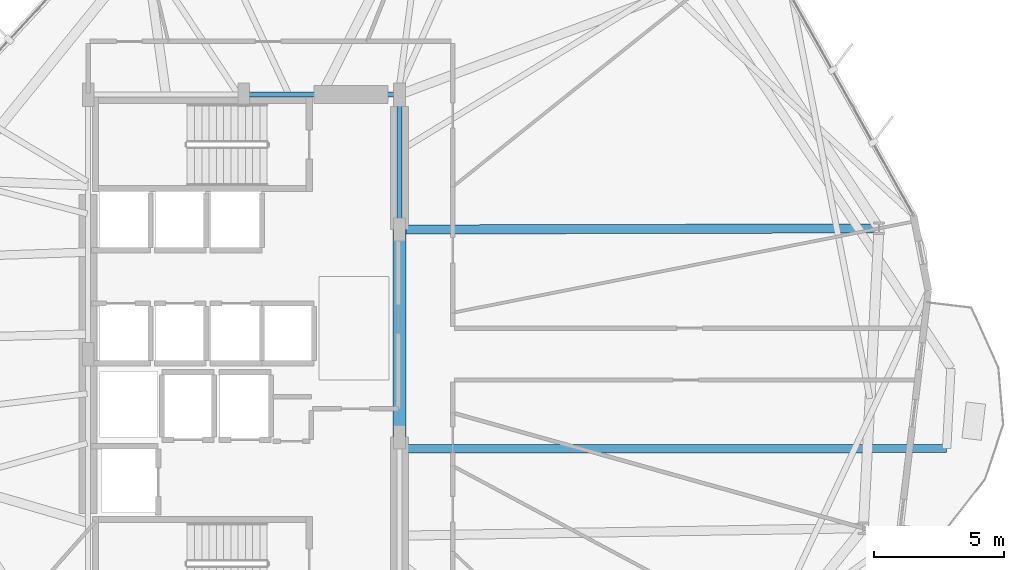
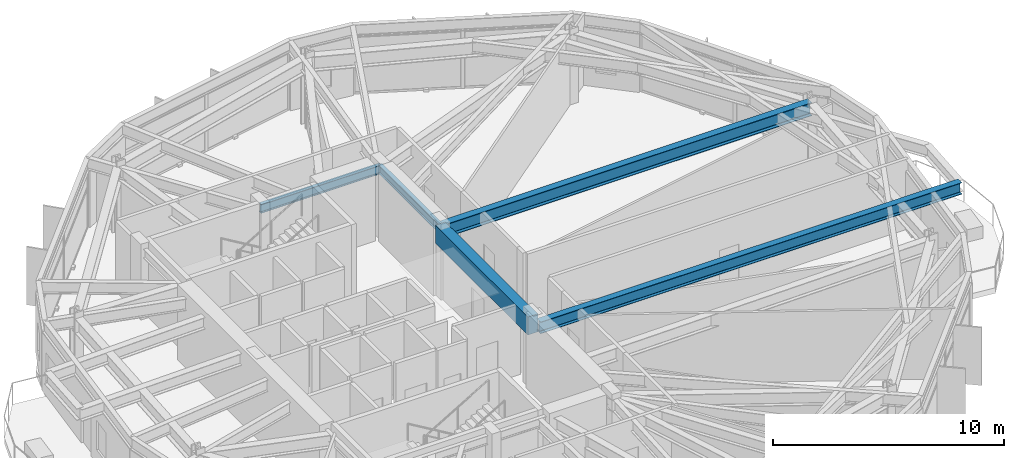
# One storey, part 8 of 22: 5 beams.
"""IFC4 building model written with IfcOpenShell, lengths in metres."""

from ifc_helpers import new_model, si_unit, direction, frame, origin, origin_2d, place, context, subcontext, project, spatial, rectangle, i_section, extrude, material, material_profile, profile_set, type_object, element, save


model = new_model("IFC4")

# Units and contexts
model_context = context("Model", 3, precision=1e-05, world=origin(), true_north=direction((0.0, 1.0)))
body_context = subcontext(model_context, "Body", "Model", "MODEL_VIEW")
ifc_project = project(units=[si_unit("LENGTHUNIT", "METRE"), si_unit("AREAUNIT", "SQUARE_METRE"), si_unit("VOLUMEUNIT", "CUBIC_METRE"), si_unit("PLANEANGLEUNIT", "RADIAN"), si_unit("MASSUNIT", "GRAM", prefix="KILO")], contexts=[model_context])

# Site, building, storey
site_placement = place(None, origin())
site = spatial("IfcSite", under=ifc_project, at=site_placement, CompositionType="ELEMENT")
building_placement = place(site_placement, origin())
building = spatial("IfcBuilding", under=site, at=building_placement, Name="Soratama Intermodal Tower", CompositionType="ELEMENT")
storey_placement = place(building_placement, frame((0.0, 0.0, 70.60009765625)))
storey = spatial("IfcBuildingStorey", under=building, at=storey_placement, Name="L16", CompositionType="ELEMENT", Elevation=70.60009765625)

# Beams
ifc_material_1 = material(Name="Structural steel ASTM A992 Grade 50", Category="steel")
ifc_material_profile_1 = material_profile(ifc_material_1, i_section(OverallWidth=0.324951171875, OverallDepth=0.615966796875, WebThickness=0.013916015625, FlangeThickness=0.021484375, FilletRadius=0.013916015625, at=origin_2d()), Name="W24X117")
ifc_profile_set_1 = profile_set([ifc_material_profile_1], Name="Structural steel ASTM A992 Grade 50")
beam_type_1 = type_object("IfcBeamType", Name="BM-CANT-W24X117", PredefinedType="BEAM", material=ifc_profile_set_1)
beam_1_placement = place(storey_placement, frame((44.639892578125, 21.35205078125, 3.391845703125), z_axis=(0.999999907924, 0.000429129755, 0.0), x_axis=(-0.000429129755, 0.999999907924, 0.0)))
element("IfcBeam", 1, at=beam_1_placement, inside=storey, type_object=beam_type_1, Name="BM-L16-CANT-1-1", PredefinedType="BEAM", context=body_context, shape_type="SweptSolid", body=[
    extrude(i_section(OverallWidth=0.324951171875, OverallDepth=0.615966796875, WebThickness=0.013916015625, FlangeThickness=0.021484375, FilletRadius=0.013916015625, at=origin_2d()), origin(), (0.0, 0.0, 1.0), 21.050048828125),
])
ifc_material_2 = material(Name="Concrete f'c 56 MPa", Category="concrete")
ifc_material_profile_2 = material_profile(ifc_material_2, rectangle(XDim=0.5, YDim=0.949951171875, at=origin_2d()), Name="RC500X950")
ifc_profile_set_2 = profile_set([ifc_material_profile_2], Name="Concrete f'c 56 MPa")
beam_type_2 = type_object("IfcBeamType", Name="BM-CPL-RC500X950", PredefinedType="BEAM", material=ifc_profile_set_2)
beam_2_placement = place(storey_placement, frame((44.60009765625, 21.800048828125, 3.224853515625), z_axis=(0.0, 1.0, 0.0), x_axis=(-1.0, 0.0, 0.0)))
element("IfcBeam", 2, at=beam_2_placement, inside=storey, type_object=beam_type_2, Name="L16 Core Coupling Beam East", PredefinedType="BEAM", context=body_context, shape_type="SweptSolid", body=[
    extrude(rectangle(XDim=0.5, YDim=0.949951171875, at=origin_2d()), origin(), (0.0, 0.0, 1.0), 8.0),
])
ifc_material_3 = material(Name="Structural steel ASTM A992 Grade 50", Category="steel")
ifc_material_profile_3 = material_profile(ifc_material_3, i_section(OverallWidth=0.19091796875, OverallDepth=0.4599609375, WebThickness=0.010009765625, FlangeThickness=0.01611328125, FilletRadius=0.010986328125, at=origin_2d()), Name="W18X55")
ifc_profile_set_3 = profile_set([ifc_material_profile_3], Name="Structural steel ASTM A992 Grade 50")
beam_type_3 = type_object("IfcBeamType", Name="BM-FLR-W18X55", PredefinedType="BEAM", material=ifc_profile_set_3)
beam_3_placement = place(storey_placement, frame((44.60009765625, 29.800048828125, 3.469970703125), z_axis=(0.0, 1.0, 0.0), x_axis=(-1.0, 0.0, 0.0)))
element("IfcBeam", 3, at=beam_3_placement, inside=storey, type_object=beam_type_3, Name="BM-L16-CRING-05", PredefinedType="BEAM", context=body_context, shape_type="SweptSolid", body=[
    extrude(i_section(OverallWidth=0.19091796875, OverallDepth=0.4599609375, WebThickness=0.010009765625, FlangeThickness=0.01611328125, FilletRadius=0.010986328125, at=origin_2d()), origin(), (0.0, 0.0, 1.0), 5.199951171875),
])
beam_4_placement = place(storey_placement, frame((44.60009765625, 35.0, 3.469970703125), z_axis=(-1.0, 0.0, 0.0), x_axis=(0.0, -1.0, 0.0)))
element("IfcBeam", 4, at=beam_4_placement, inside=storey, type_object=beam_type_3, Name="BM-L16-CRING-06", PredefinedType="BEAM", context=body_context, shape_type="SweptSolid", body=[
    extrude(i_section(OverallWidth=0.19091796875, OverallDepth=0.4599609375, WebThickness=0.010009765625, FlangeThickness=0.01611328125, FilletRadius=0.010986328125, at=origin_2d()), origin(), (0.0, 0.0, 1.0), 6.0),
])
ifc_material_4 = material(Name="Structural steel ASTM A992 Grade 50", Category="steel")
ifc_material_profile_4 = material_profile(ifc_material_4, i_section(OverallWidth=0.35498046875, OverallDepth=0.695068359375, WebThickness=0.015380859375, FlangeThickness=0.02490234375, FilletRadius=0.01611328125, at=origin_2d()), Name="W27X146")
ifc_profile_set_4 = profile_set([ifc_material_profile_4], Name="Structural steel ASTM A992 Grade 50")
beam_type_4 = type_object("IfcBeamType", Name="BM-RING-W27X146", PredefinedType="BEAM", material=ifc_profile_set_4)
beam_5_placement = place(storey_placement, frame((44.60009765625, 29.800048828125, 3.352294921875), z_axis=(0.999997046146, 0.002430575896, 0.0), x_axis=(-0.002430575896, 0.999997046146, 0.0)))
element("IfcBeam", 5, at=beam_5_placement, inside=storey, type_object=beam_type_4, Name="BM-L16-RAD-01", PredefinedType="BEAM", context=body_context, shape_type="SweptSolid", body=[
    extrude(i_section(OverallWidth=0.35498046875, OverallDepth=0.695068359375, WebThickness=0.015380859375, FlangeThickness=0.02490234375, FilletRadius=0.01611328125, at=origin_2d()), origin(), (0.0, 0.0, 1.0), 18.48193359375),
])

save(model, "model.ifc")
